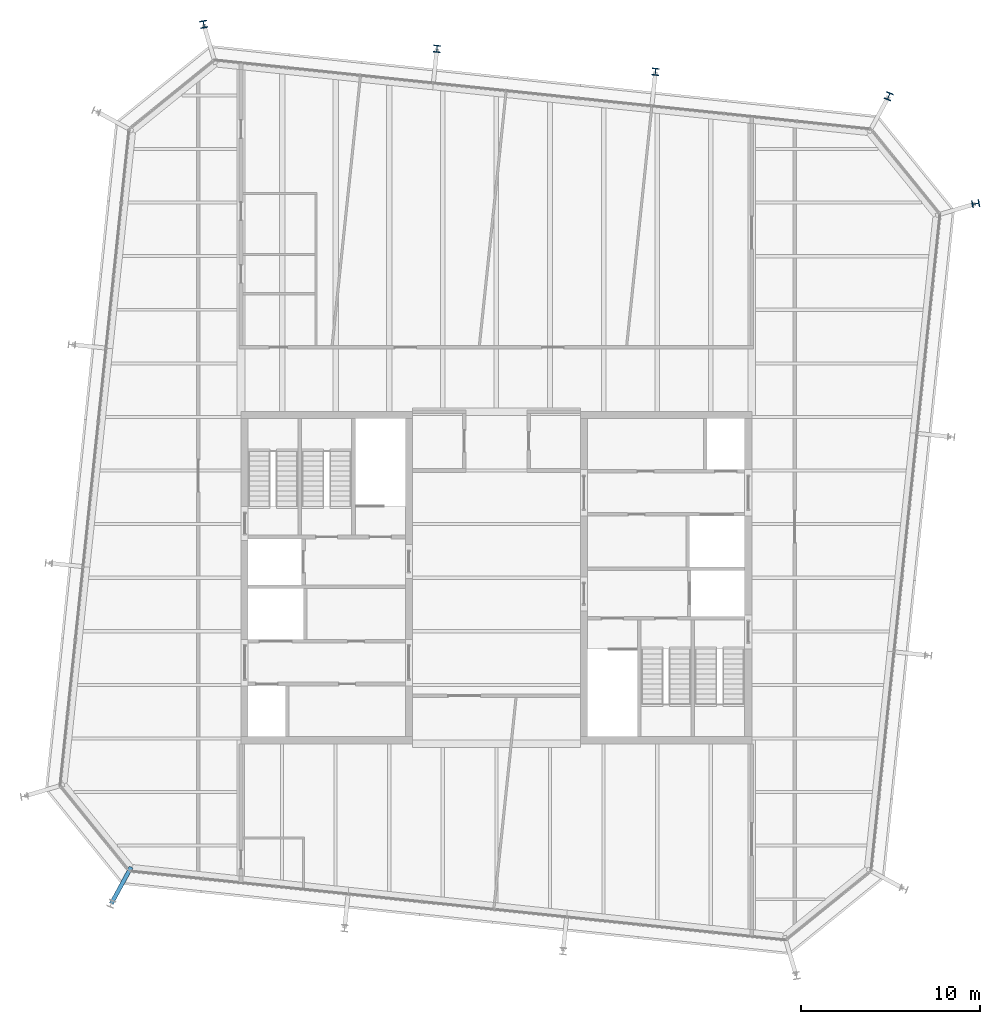
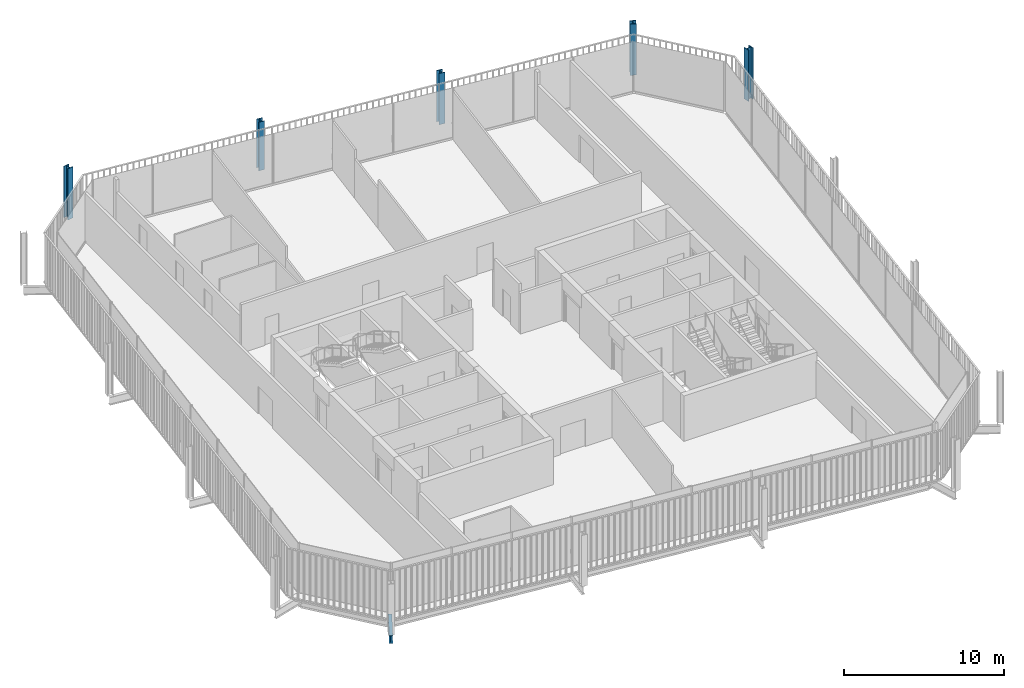
# One storey, part 2 of 19: 5 columns, 1 beam.
"""IFC4 building model written with IfcOpenShell, lengths in metres."""

from ifc_helpers import new_model, si_unit, direction, frame, origin, origin_2d, place, context, subcontext, project, spatial, i_section, extrude, material, material_profile, profile_set, type_object, element, save


model = new_model("IFC4")

# Units and contexts
model_context = context("Model", 3, precision=1e-05, world=origin(), true_north=direction((0.0, 1.0)))
body_context = subcontext(model_context, "Body", "Model", "MODEL_VIEW")
ifc_project = project(units=[si_unit("LENGTHUNIT", "METRE"), si_unit("AREAUNIT", "SQUARE_METRE"), si_unit("VOLUMEUNIT", "CUBIC_METRE"), si_unit("PLANEANGLEUNIT", "RADIAN"), si_unit("MASSUNIT", "GRAM", prefix="KILO")], contexts=[model_context])

# Site, building, storey
site_placement = place(None, origin())
site = spatial("IfcSite", under=ifc_project, at=site_placement, CompositionType="ELEMENT")
building_placement = place(site_placement, origin())
building = spatial("IfcBuilding", under=site, at=building_placement, Name="Millrace Tower", CompositionType="ELEMENT")
storey_placement = place(building_placement, frame((0.0, 0.0, 338.199951171875)))
storey = spatial("IfcBuildingStorey", under=building, at=storey_placement, Name="L78", CompositionType="ELEMENT", Elevation=338.199951171875)

# Columns
ifc_material_1 = material(Name="Steel ASTM A913 Grade 65", Category="steel")
ifc_material_profile_1 = material_profile(ifc_material_1, i_section(OverallWidth=0.4013671875, OverallDepth=0.398681640625, WebThickness=0.02490234375, FlangeThickness=0.03955078125, FilletRadius=0.01513671875, at=origin_2d()))
ifc_profile_set_1 = profile_set([ifc_material_profile_1], Name="Steel ASTM A913 Grade 65")
column_type_1 = type_object("IfcColumnType", Name="Exoskeleton column W14x211", PredefinedType="COLUMN", material=ifc_profile_set_1)
column_1_placement = place(storey_placement, frame((8.9033203125, 28.321533203125, 0.0), z_axis=(0.0, 0.0, 1.0), x_axis=(-0.994521897246, 0.104528445407, 0.0)))
element("IfcColumn", 1, at=column_1_placement, inside=storey, type_object=column_type_1, Name="COL-E-L78-X11", PredefinedType="COLUMN", context=body_context, shape_type="SweptSolid", body=[
    extrude(i_section(OverallWidth=0.4013671875, OverallDepth=0.398681640625, WebThickness=0.02490234375, FlangeThickness=0.03955078125, FilletRadius=0.01513671875, at=origin_2d()), origin(), (0.0, 0.0, 1.0), 3.900146484375),
])
column_2_placement = place(storey_placement, frame((-3.329345703125, 29.607177734375, 0.0), z_axis=(0.0, 0.0, 1.0), x_axis=(-0.994521897246, 0.104528445407, 0.0)))
element("IfcColumn", 2, at=column_2_placement, inside=storey, type_object=column_type_1, Name="COL-E-L78-X12", PredefinedType="COLUMN", context=body_context, shape_type="SweptSolid", body=[
    extrude(i_section(OverallWidth=0.4013671875, OverallDepth=0.398681640625, WebThickness=0.02490234375, FlangeThickness=0.03955078125, FilletRadius=0.01513671875, at=origin_2d()), origin(), (0.0, 0.0, 1.0), 3.699951171875),
])
ifc_material_2 = material(Name="Steel ASTM A913 Grade 65", Category="steel")
ifc_material_profile_2 = material_profile(ifc_material_2, i_section(OverallWidth=0.406494140625, OverallDepth=0.41650390625, WebThickness=0.030029296875, FlangeThickness=0.048095703125, FilletRadius=0.01513671875, at=origin_2d()))
ifc_profile_set_2 = profile_set([ifc_material_profile_2], Name="Steel ASTM A913 Grade 65")
column_type_2 = type_object("IfcColumnType", Name="Exoskeleton column W14x257", PredefinedType="COLUMN", material=ifc_profile_set_2)
for number, where, z_axis, x_axis, name in (
    (3, (26.82958984375, 20.935791015625, 0.0), (0.0, 0.0, 1.0), (-0.18038747256, 0.983595628164, 0.0), "COL-E-L78-X09"),
    (4, (21.9599609375, 26.94921875, 0.0), (0.0, 0.0, 1.0), (-0.92459700658, 0.380946683176, 0.0), "COL-E-L78-X10"),
    (5, (-16.3857421875, 30.9794921875, 0.0), (0.0, 0.0, 1.0), (-0.983595628164, -0.18038747256, 0.0), "COL-E-L78-X13"),
):
    element("IfcColumn", number, at=place(storey_placement, frame(where, z_axis=z_axis, x_axis=x_axis)), inside=storey, type_object=column_type_2, Name=name, PredefinedType="COLUMN", context=body_context, shape_type="SweptSolid", body=[
        extrude(i_section(OverallWidth=0.406494140625, OverallDepth=0.41650390625, WebThickness=0.030029296875, FlangeThickness=0.048095703125, FilletRadius=0.01513671875, at=origin_2d()), origin(), (0.0, 0.0, 1.0), 3.900146484375),
    ])

# Beam
ifc_material_3 = material(Name="Steel ASTM A992 Grade 50", Category="steel")
ifc_material_profile_3 = material_profile(ifc_material_3, i_section(OverallWidth=0.23046875, OverallDepth=0.6171875, WebThickness=0.01318359375, FlangeThickness=0.022216796875, FilletRadius=0.012939453125, at=origin_2d()))
ifc_profile_set_3 = profile_set([ifc_material_profile_3], Name="Steel ASTM A992 Grade 50")
beam_type = type_object("IfcBeamType", Name="Link beam W24x94", PredefinedType="BEAM", material=ifc_profile_set_3)
beam_placement = place(storey_placement, frame((-20.447509765625, -16.20068359375, -0.468505859375), z_axis=(-0.477163510307, -0.87881453358, 0.0), x_axis=(0.87881453358, -0.477163510307, 0.0)))
element("IfcBeam", 6, at=beam_placement, inside=storey, type_object=beam_type, Name="LNK-E-L78-S1-16", PredefinedType="BEAM", context=body_context, shape_type="SweptSolid", body=[
    extrude(i_section(OverallWidth=0.23046875, OverallDepth=0.6171875, WebThickness=0.01318359375, FlangeThickness=0.022216796875, FilletRadius=0.012939453125, at=origin_2d()), origin(), (0.0, 0.0, 1.0), 2.3310546875),
])

save(model, "model.ifc")
